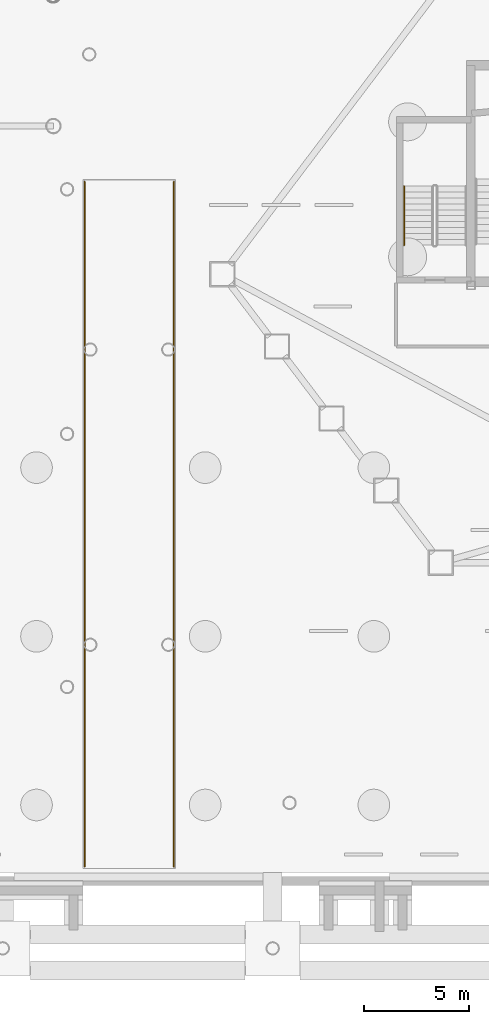
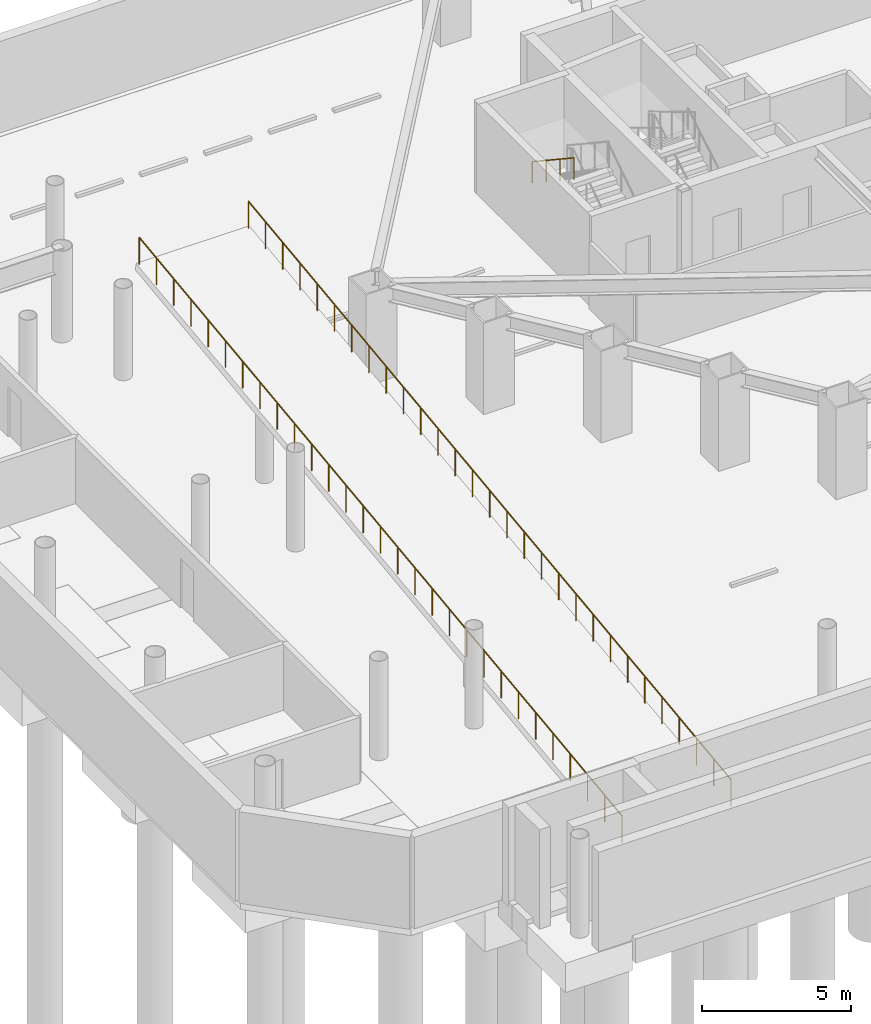
# One storey, part 16 of 19: 3 railings.
"""IFC4 building model written with IfcOpenShell, lengths in metres."""

from ifc_helpers import new_model, si_unit, direction, frame, origin, origin_2d, place, context, subcontext, project, spatial, circle, extrude, material, type_object, element, save


model = new_model("IFC4")

# Units and contexts
model_context = context("Model", 3, precision=1e-05, world=origin(), true_north=direction((0.0, 1.0)))
body_context = subcontext(model_context, "Body", "Model", "MODEL_VIEW")
ifc_project = project(units=[si_unit("LENGTHUNIT", "METRE"), si_unit("AREAUNIT", "SQUARE_METRE"), si_unit("VOLUMEUNIT", "CUBIC_METRE"), si_unit("PLANEANGLEUNIT", "RADIAN"), si_unit("MASSUNIT", "GRAM", prefix="KILO")], contexts=[model_context])

# Site, building, storey
site_placement = place(None, origin())
site = spatial("IfcSite", under=ifc_project, at=site_placement, CompositionType="ELEMENT")
building_placement = place(site_placement, origin())
building = spatial("IfcBuilding", under=site, at=building_placement, Name="Zarrinselat Tower", CompositionType="ELEMENT")
storey_placement = place(building_placement, frame((0.0, 0.0, -8.159912109375)))
storey = spatial("IfcBuildingStorey", under=building, at=storey_placement, Name="B02", CompositionType="ELEMENT", Elevation=-8.159912109375)

# Railings
ifc_material_1 = material(Name="Steel S355J2", Category="steel")
railing_type_1 = type_object("IfcRailingType", Name="RLG-STAIR-HAND", PredefinedType="HANDRAIL", material=ifc_material_1)
railing_1_placement = place(storey_placement, frame((25.429931640625, 37.75, 2.225341796875)))
element("IfcRailing", 1, at=railing_1_placement, inside=storey, type_object=railing_type_1, Name="B02 ST-3 stair handrail 2", PredefinedType="HANDRAIL", context=body_context, shape_type="SweptSolid", body=[
    extrude(circle(Radius=0.02392578125, at=origin_2d()), frame((0.0, 0.0, 0.8759765625), z_axis=(0.0, -0.833724036255, 0.552181339209), x_axis=(1.0, 0.0, 0.0)), (0.0, 0.0, 1.0), 3.3583984375),
    extrude(circle(Radius=0.02099609375, at=origin_2d()), origin(), (0.0, 0.0, 1.0), 0.849853515625),
    extrude(circle(Radius=0.02099609375, at=origin_2d()), frame((0.0, -0.933349609375, 0.6181640625)), (0.0, 0.0, 1.0), 0.849853515625),
    extrude(circle(Radius=0.02099609375, at=origin_2d()), frame((0.0, -1.86669921875, 1.236328125)), (0.0, 0.0, 1.0), 0.849853515625),
    extrude(circle(Radius=0.02099609375, at=origin_2d()), frame((0.0, -2.800048828125, 1.8544921875)), (0.0, 0.0, 1.0), 0.849853515625),
])
ifc_material_2 = material(Name="Steel S355J2", Category="steel")
railing_type_2 = type_object("IfcRailingType", Name="RLG-TERR-GUARD", PredefinedType="GUARDRAIL", material=ifc_material_2)
railing_2_placement = place(storey_placement, frame((10.280029296875, 5.47998046875, 0.010009765625)))
element("IfcRailing", 2, at=railing_2_placement, inside=storey, type_object=railing_type_2, Name="B02 Vehicle Ramp R1 Edge Guardrail W", PredefinedType="GUARDRAIL", context=body_context, shape_type="SweptSolid", body=[
    extrude(circle(Radius=0.02392578125, at=origin_2d()), frame((0.0, 0.0, 1.09619140625), z_axis=(0.0, 0.992278565185, 0.124029226691), x_axis=(-1.0, 0.0, 0.0)), (0.0, 0.0, 1.0), 32.732666015625),
    extrude(circle(Radius=0.02099609375, at=origin_2d()), origin(), (0.0, 0.0, 1.0), 1.070068359375),
    extrude(circle(Radius=0.02099609375, at=origin_2d()), frame((0.0, 1.159912109375, 0.14501953125)), (0.0, 0.0, 1.0), 1.070068359375),
    extrude(circle(Radius=0.02099609375, at=origin_2d()), frame((0.0, 2.320068359375, 0.2900390625)), (0.0, 0.0, 1.0), 1.070068359375),
    extrude(circle(Radius=0.02099609375, at=origin_2d()), frame((0.0, 3.47998046875, 0.43505859375)), (0.0, 0.0, 1.0), 1.070068359375),
    extrude(circle(Radius=0.02099609375, at=origin_2d()), frame((0.0, 4.639892578125, 0.580078125)), (0.0, 0.0, 1.0), 1.070068359375),
    extrude(circle(Radius=0.02099609375, at=origin_2d()), frame((0.0, 5.800048828125, 0.724853515625)), (0.0, 0.0, 1.0), 1.070068359375),
    extrude(circle(Radius=0.02099609375, at=origin_2d()), frame((0.0, 6.9599609375, 0.869873046875)), (0.0, 0.0, 1.0), 1.070068359375),
    extrude(circle(Radius=0.02099609375, at=origin_2d()), frame((0.0, 8.1201171875, 1.014892578125)), (0.0, 0.0, 1.0), 1.070068359375),
    extrude(circle(Radius=0.02099609375, at=origin_2d()), frame((0.0, 9.280029296875, 1.159912109375)), (0.0, 0.0, 1.0), 1.070068359375),
    extrude(circle(Radius=0.02099609375, at=origin_2d()), frame((0.0, 10.43994140625, 1.304931640625)), (0.0, 0.0, 1.0), 1.070068359375),
    extrude(circle(Radius=0.02099609375, at=origin_2d()), frame((0.0, 11.60009765625, 1.449951171875)), (0.0, 0.0, 1.0), 1.070068359375),
    extrude(circle(Radius=0.02099609375, at=origin_2d()), frame((0.0, 12.760009765625, 1.594970703125)), (0.0, 0.0, 1.0), 1.070068359375),
    extrude(circle(Radius=0.02099609375, at=origin_2d()), frame((0.0, 13.919921875, 1.739990234375)), (0.0, 0.0, 1.0), 1.070068359375),
    extrude(circle(Radius=0.02099609375, at=origin_2d()), frame((0.0, 15.080078125, 1.885009765625)), (0.0, 0.0, 1.0), 1.070068359375),
    extrude(circle(Radius=0.02099609375, at=origin_2d()), frame((0.0, 16.239990234375, 2.02978515625)), (0.0, 0.0, 1.0), 1.070068359375),
    extrude(circle(Radius=0.02099609375, at=origin_2d()), frame((0.0, 17.39990234375, 2.1748046875)), (0.0, 0.0, 1.0), 1.070068359375),
    extrude(circle(Radius=0.02099609375, at=origin_2d()), frame((0.0, 18.56005859375, 2.31982421875)), (0.0, 0.0, 1.0), 1.070068359375),
    extrude(circle(Radius=0.02099609375, at=origin_2d()), frame((0.0, 19.719970703125, 2.46484375)), (0.0, 0.0, 1.0), 1.070068359375),
    extrude(circle(Radius=0.02099609375, at=origin_2d()), frame((0.0, 20.8798828125, 2.60986328125)), (0.0, 0.0, 1.0), 1.070068359375),
    extrude(circle(Radius=0.02099609375, at=origin_2d()), frame((0.0, 22.0400390625, 2.7548828125)), (0.0, 0.0, 1.0), 1.070068359375),
    extrude(circle(Radius=0.02099609375, at=origin_2d()), frame((0.0, 23.199951171875, 2.89990234375)), (0.0, 0.0, 1.0), 1.070068359375),
    extrude(circle(Radius=0.02099609375, at=origin_2d()), frame((0.0, 24.35986328125, 3.044921875)), (0.0, 0.0, 1.0), 1.070068359375),
    extrude(circle(Radius=0.02099609375, at=origin_2d()), frame((0.0, 25.52001953125, 3.18994140625)), (0.0, 0.0, 1.0), 1.070068359375),
    extrude(circle(Radius=0.02099609375, at=origin_2d()), frame((0.0, 26.679931640625, 3.3349609375)), (0.0, 0.0, 1.0), 1.070068359375),
    extrude(circle(Radius=0.02099609375, at=origin_2d()), frame((0.0, 27.840087890625, 3.479736328125)), (0.0, 0.0, 1.0), 1.070068359375),
    extrude(circle(Radius=0.02099609375, at=origin_2d()), frame((0.0, 29.0, 3.624755859375)), (0.0, 0.0, 1.0), 1.070068359375),
    extrude(circle(Radius=0.02099609375, at=origin_2d()), frame((0.0, 30.159912109375, 3.769775390625)), (0.0, 0.0, 1.0), 1.070068359375),
    extrude(circle(Radius=0.02099609375, at=origin_2d()), frame((0.0, 31.320068359375, 3.914794921875)), (0.0, 0.0, 1.0), 1.070068359375),
    extrude(circle(Radius=0.02099609375, at=origin_2d()), frame((0.0, 32.47998046875, 4.059814453125)), (0.0, 0.0, 1.0), 1.070068359375),
])
railing_3_placement = place(storey_placement, frame((14.52001953125, 5.47998046875, 0.010009765625)))
element("IfcRailing", 3, at=railing_3_placement, inside=storey, type_object=railing_type_2, Name="B02 Vehicle Ramp R1 Edge Guardrail E", PredefinedType="GUARDRAIL", context=body_context, shape_type="SweptSolid", body=[
    extrude(circle(Radius=0.02392578125, at=origin_2d()), frame((0.0, 0.0, 1.09619140625), z_axis=(0.0, 0.992278565185, 0.124029226691), x_axis=(-1.0, 0.0, 0.0)), (0.0, 0.0, 1.0), 32.732666015625),
    extrude(circle(Radius=0.02099609375, at=origin_2d()), origin(), (0.0, 0.0, 1.0), 1.070068359375),
    extrude(circle(Radius=0.02099609375, at=origin_2d()), frame((0.0, 1.159912109375, 0.14501953125)), (0.0, 0.0, 1.0), 1.070068359375),
    extrude(circle(Radius=0.02099609375, at=origin_2d()), frame((0.0, 2.320068359375, 0.2900390625)), (0.0, 0.0, 1.0), 1.070068359375),
    extrude(circle(Radius=0.02099609375, at=origin_2d()), frame((0.0, 3.47998046875, 0.43505859375)), (0.0, 0.0, 1.0), 1.070068359375),
    extrude(circle(Radius=0.02099609375, at=origin_2d()), frame((0.0, 4.639892578125, 0.580078125)), (0.0, 0.0, 1.0), 1.070068359375),
    extrude(circle(Radius=0.02099609375, at=origin_2d()), frame((0.0, 5.800048828125, 0.724853515625)), (0.0, 0.0, 1.0), 1.070068359375),
    extrude(circle(Radius=0.02099609375, at=origin_2d()), frame((0.0, 6.9599609375, 0.869873046875)), (0.0, 0.0, 1.0), 1.070068359375),
    extrude(circle(Radius=0.02099609375, at=origin_2d()), frame((0.0, 8.1201171875, 1.014892578125)), (0.0, 0.0, 1.0), 1.070068359375),
    extrude(circle(Radius=0.02099609375, at=origin_2d()), frame((0.0, 9.280029296875, 1.159912109375)), (0.0, 0.0, 1.0), 1.070068359375),
    extrude(circle(Radius=0.02099609375, at=origin_2d()), frame((0.0, 10.43994140625, 1.304931640625)), (0.0, 0.0, 1.0), 1.070068359375),
    extrude(circle(Radius=0.02099609375, at=origin_2d()), frame((0.0, 11.60009765625, 1.449951171875)), (0.0, 0.0, 1.0), 1.070068359375),
    extrude(circle(Radius=0.02099609375, at=origin_2d()), frame((0.0, 12.760009765625, 1.594970703125)), (0.0, 0.0, 1.0), 1.070068359375),
    extrude(circle(Radius=0.02099609375, at=origin_2d()), frame((0.0, 13.919921875, 1.739990234375)), (0.0, 0.0, 1.0), 1.070068359375),
    extrude(circle(Radius=0.02099609375, at=origin_2d()), frame((0.0, 15.080078125, 1.885009765625)), (0.0, 0.0, 1.0), 1.070068359375),
    extrude(circle(Radius=0.02099609375, at=origin_2d()), frame((0.0, 16.239990234375, 2.02978515625)), (0.0, 0.0, 1.0), 1.070068359375),
    extrude(circle(Radius=0.02099609375, at=origin_2d()), frame((0.0, 17.39990234375, 2.1748046875)), (0.0, 0.0, 1.0), 1.070068359375),
    extrude(circle(Radius=0.02099609375, at=origin_2d()), frame((0.0, 18.56005859375, 2.31982421875)), (0.0, 0.0, 1.0), 1.070068359375),
    extrude(circle(Radius=0.02099609375, at=origin_2d()), frame((0.0, 19.719970703125, 2.46484375)), (0.0, 0.0, 1.0), 1.070068359375),
    extrude(circle(Radius=0.02099609375, at=origin_2d()), frame((0.0, 20.8798828125, 2.60986328125)), (0.0, 0.0, 1.0), 1.070068359375),
    extrude(circle(Radius=0.02099609375, at=origin_2d()), frame((0.0, 22.0400390625, 2.7548828125)), (0.0, 0.0, 1.0), 1.070068359375),
    extrude(circle(Radius=0.02099609375, at=origin_2d()), frame((0.0, 23.199951171875, 2.89990234375)), (0.0, 0.0, 1.0), 1.070068359375),
    extrude(circle(Radius=0.02099609375, at=origin_2d()), frame((0.0, 24.35986328125, 3.044921875)), (0.0, 0.0, 1.0), 1.070068359375),
    extrude(circle(Radius=0.02099609375, at=origin_2d()), frame((0.0, 25.52001953125, 3.18994140625)), (0.0, 0.0, 1.0), 1.070068359375),
    extrude(circle(Radius=0.02099609375, at=origin_2d()), frame((0.0, 26.679931640625, 3.3349609375)), (0.0, 0.0, 1.0), 1.070068359375),
    extrude(circle(Radius=0.02099609375, at=origin_2d()), frame((0.0, 27.840087890625, 3.479736328125)), (0.0, 0.0, 1.0), 1.070068359375),
    extrude(circle(Radius=0.02099609375, at=origin_2d()), frame((0.0, 29.0, 3.624755859375)), (0.0, 0.0, 1.0), 1.070068359375),
    extrude(circle(Radius=0.02099609375, at=origin_2d()), frame((0.0, 30.159912109375, 3.769775390625)), (0.0, 0.0, 1.0), 1.070068359375),
    extrude(circle(Radius=0.02099609375, at=origin_2d()), frame((0.0, 31.320068359375, 3.914794921875)), (0.0, 0.0, 1.0), 1.070068359375),
    extrude(circle(Radius=0.02099609375, at=origin_2d()), frame((0.0, 32.47998046875, 4.059814453125)), (0.0, 0.0, 1.0), 1.070068359375),
])

save(model, "model.ifc")
